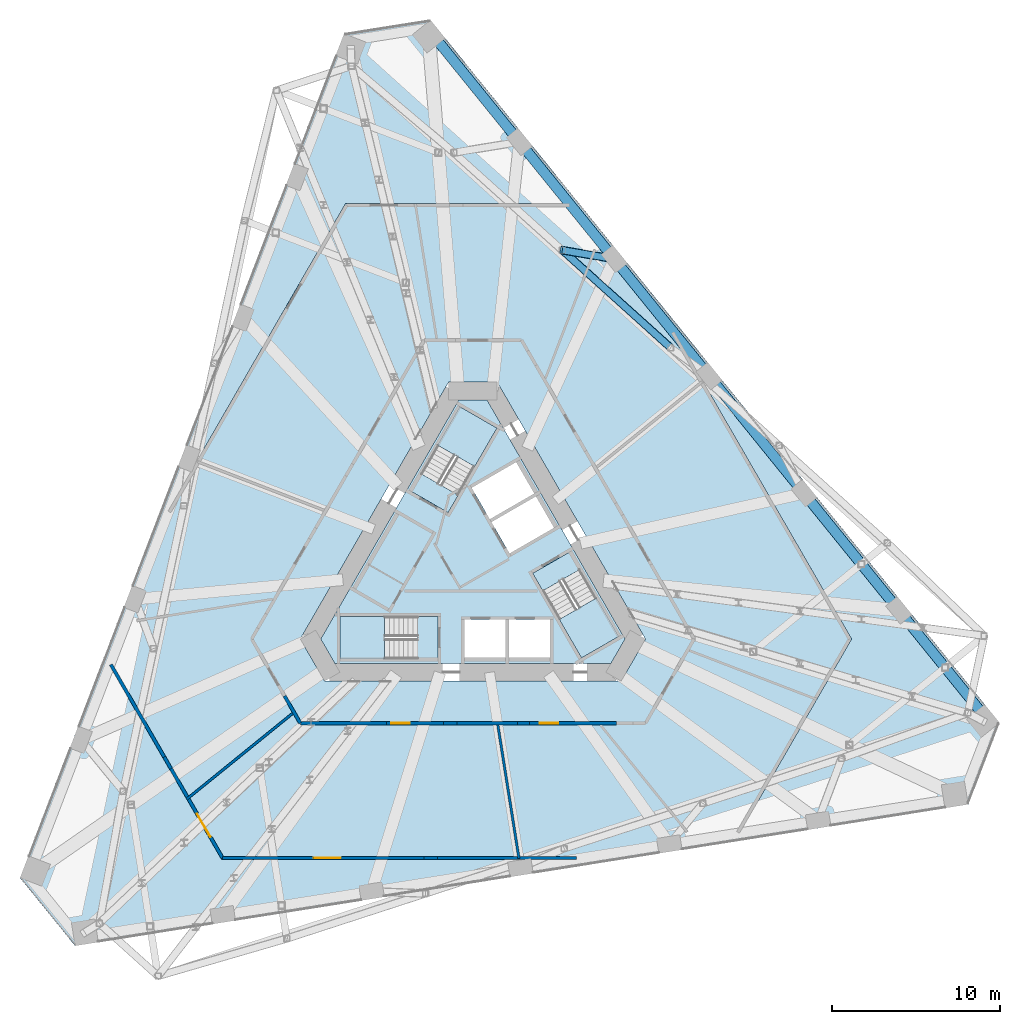
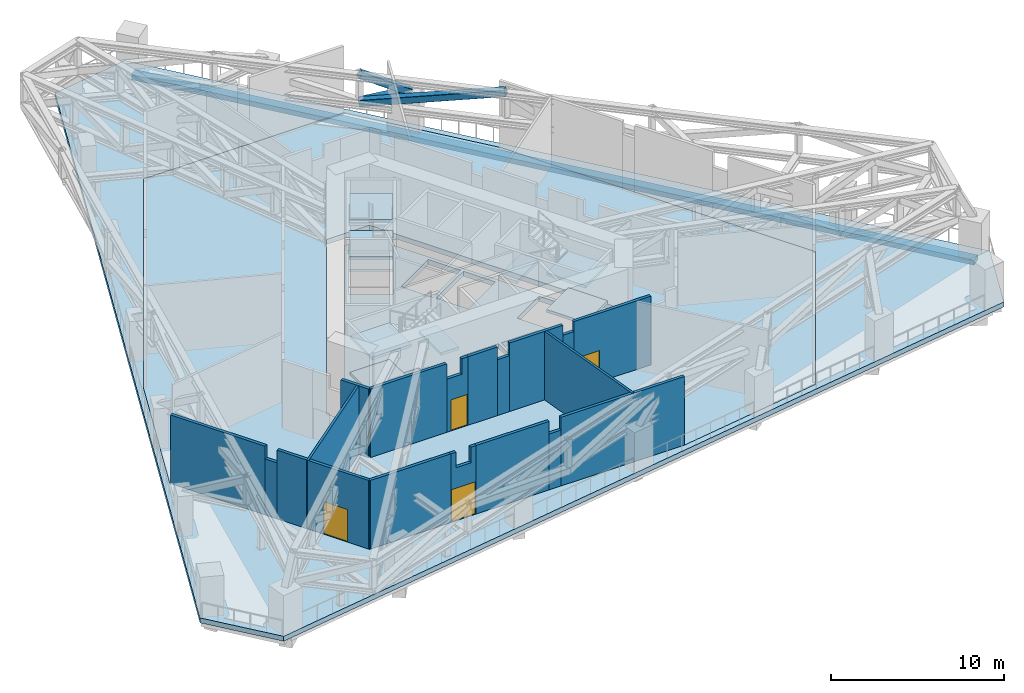
# One storey, part 10 of 20: 18 walls, 12 slabs, 4 doors, 3 members, 1 beam, 4 openings, 3 elements without a shape of their own.
"""IFC4 building model written with IfcOpenShell, lengths in metres."""

import ifcopenshell
import ifcopenshell.guid

model = None  # the IFC model being written
_history = None  # IfcOwnerHistory: only IFC2X3 demands one
_inside = {}  # id of a spatial element -> (the spatial element, [elements in it])
_under = {}  # id of a project, library or spatial element -> (it, [spatial elements below it])
_declared = {}  # id of a project -> (the project, [libraries it declares])
_typed = {}  # id of a type object -> (the type object, [elements of that type])
_made_of = {}  # id of a material, layer set ... -> (it, [elements and type objects made of it])


def new_model(schema):
    """Start an empty IFC model of exactly this schema.

    Asked for "IFC4X3", IfcOpenShell would pick the latest addendum, in which some entities
    have other attributes; the version numbers below select the first issue.
    IFC2X3 requires an IfcOwnerHistory on every rooted entity: one is made here for all.
    """
    global model, _history
    if schema == "IFC4X3":
        model = ifcopenshell.file(schema_version=(4, 3, 0, 0))
    else:
        model = ifcopenshell.file(schema=schema)
    _inside.clear()
    _under.clear()
    _declared.clear()
    _typed.clear()
    _made_of.clear()
    _history = None
    if model.schema == "IFC2X3":
        org = make("IfcOrganization", Name="unknown")
        user = make(
            "IfcPersonAndOrganization",
            ThePerson=make("IfcPerson", FamilyName="unknown"),
            TheOrganization=org,
        )
        app = make(
            "IfcApplication",
            ApplicationDeveloper=org,
            Version="unknown",
            ApplicationFullName="unknown",
            ApplicationIdentifier="unknown",
        )
        _history = make(
            "IfcOwnerHistory",
            OwningUser=user,
            OwningApplication=app,
            ChangeAction="ADDED",
            CreationDate=0,
        )
    return model


def make(cls, **values):
    """One entity of the class cls with the attributes given. An attribute that is None is left unset."""
    return model.create_entity(
        cls, **{name: value for name, value in values.items() if value is not None}
    )


def rooted(cls, **values):
    """An entity with a GlobalId (a new one), such as an element, a storey or a relation."""
    return make(cls, GlobalId=ifcopenshell.guid.new(), OwnerHistory=_history, **values)


def si_unit(unit_type, name, prefix=None):
    """IfcSIUnit, for example si_unit("LENGTHUNIT", "METRE", prefix="MILLI")."""
    return make("IfcSIUnit", UnitType=unit_type, Prefix=prefix, Name=name)


def assignment(units):
    """IfcUnitAssignment: the units of a project."""
    return None if units is None else make("IfcUnitAssignment", Units=units)


def point(xyz):
    """IfcCartesianPoint."""
    return None if xyz is None else make("IfcCartesianPoint", Coordinates=xyz)


def direction(xyz):
    """IfcDirection."""
    return None if xyz is None else make("IfcDirection", DirectionRatios=xyz)


def frame(location, z_axis=None, x_axis=None):
    """IfcAxis2Placement3D, a coordinate frame: its origin and axes. An axis left out is left unset."""
    return make(
        "IfcAxis2Placement3D",
        Location=point(location),
        Axis=direction(z_axis),
        RefDirection=direction(x_axis),
    )


def frame_2d(location, x_axis=None):
    """IfcAxis2Placement2D, a coordinate frame in the plane: its origin and x axis."""
    return make(
        "IfcAxis2Placement2D", Location=point(location), RefDirection=direction(x_axis)
    )


def origin():
    """The frame at (0, 0, 0) with its axes left unset."""
    return frame((0.0, 0.0, 0.0))


def origin_2d():
    """The frame at (0, 0) in the plane with its x axis left unset."""
    return frame_2d((0.0, 0.0))


def place(relative_to, where):
    """IfcLocalPlacement: puts the frame where relative to a parent placement (None: the world)."""
    return make(
        "IfcLocalPlacement", PlacementRelTo=relative_to, RelativePlacement=where
    )


def context(
    kind, dimensions, precision=None, world=None, true_north=None, identifier=None
):
    """IfcGeometricRepresentationContext, for example the 3D "Model" context."""
    return make(
        "IfcGeometricRepresentationContext",
        ContextIdentifier=identifier,
        ContextType=kind,
        CoordinateSpaceDimension=dimensions,
        Precision=precision,
        WorldCoordinateSystem=world,
        TrueNorth=true_north,
    )


def subcontext(parent, identifier, kind, view, scale=None):
    """IfcGeometricRepresentationSubContext, for example "Body" below "Model"."""
    return make(
        "IfcGeometricRepresentationSubContext",
        ContextIdentifier=identifier,
        ContextType=kind,
        ParentContext=parent,
        TargetScale=scale,
        TargetView=view,
    )


def project(units=None, contexts=None):
    """IfcProject with its units and contexts."""
    return rooted(
        "IfcProject",
        Name="project",
        RepresentationContexts=contexts,
        UnitsInContext=assignment(units),
    )


def spatial(cls, under=None, at=None, **own):
    """A site, building, storey or space (cls), placed at a placement, below another one or the project."""
    s = rooted(cls, ObjectPlacement=at, **own)
    if under is not None:
        _under.setdefault(under.id(), (under, []))[1].append(s)
    return s


def polyline(points):
    """IfcPolyline through the points."""
    return make("IfcPolyline", Points=[point(p) for p in points])


def profile(cls, at=None, kind="AREA", **sizes):
    """A parametric profile (cls). Its sizes go by their IFC names, for example OverallWidth=200.0."""
    return make(cls, ProfileType=kind, Position=at, **sizes)


def rectangle(**sizes):
    """IfcRectangleProfileDef."""
    return profile("IfcRectangleProfileDef", **sizes)


def hollow_rectangle(**sizes):
    """IfcRectangleHollowProfileDef."""
    return profile("IfcRectangleHollowProfileDef", **sizes)


def i_section(**sizes):
    """IfcIShapeProfileDef."""
    return profile("IfcIShapeProfileDef", **sizes)


def outline(outer, holes=None, kind="AREA"):
    """IfcArbitraryClosedProfileDef: a profile drawn as a closed curve; with holes, ...WithVoids."""
    if holes is None:
        return make("IfcArbitraryClosedProfileDef", ProfileType=kind, OuterCurve=outer)
    return make(
        "IfcArbitraryProfileDefWithVoids",
        ProfileType=kind,
        OuterCurve=outer,
        InnerCurves=holes,
    )


def extrude(swept, where, along, depth):
    """IfcExtrudedAreaSolid: the profile swept, set in the frame where, extruded along a direction by depth."""
    return make(
        "IfcExtrudedAreaSolid",
        SweptArea=swept,
        Position=where,
        ExtrudedDirection=direction(along),
        Depth=depth,
    )


def shape(context_of_items, identifier, shape_type, items):
    """IfcShapeRepresentation: the items that make up one representation, for example the "Body"."""
    return make(
        "IfcShapeRepresentation",
        ContextOfItems=context_of_items,
        RepresentationIdentifier=identifier,
        RepresentationType=shape_type,
        Items=items,
    )


def material(Name=None, Category=None):
    """IfcMaterial."""
    return make("IfcMaterial", Name=Name, Category=Category)


def layer(
    of_material, thickness, ventilated=None, Name=None, Category=None, Priority=None
):
    """IfcMaterialLayer: one layer of a wall or slab, of a material (None: an air gap)."""
    return make(
        "IfcMaterialLayer",
        Material=of_material,
        LayerThickness=thickness,
        IsVentilated=ventilated,
        Name=Name,
        Category=Category,
        Priority=Priority,
    )


def layer_set(layers, Name=None):
    """IfcMaterialLayerSet."""
    return make("IfcMaterialLayerSet", MaterialLayers=layers, LayerSetName=Name)


def material_profile(
    of_material, cross_section, Name=None, Category=None, Priority=None
):
    """IfcMaterialProfile: a cross section and its material."""
    return make(
        "IfcMaterialProfile",
        Name=Name,
        Material=of_material,
        Profile=cross_section,
        Priority=Priority,
        Category=Category,
    )


def profile_set(profiles, Name=None, composite=None):
    """IfcMaterialProfileSet."""
    return make(
        "IfcMaterialProfileSet",
        Name=Name,
        MaterialProfiles=profiles,
        CompositeProfile=composite,
    )


def made_of(thing, what):
    """Note that an element or type object is made of a material, layer set ...; save() writes the relation."""
    if what is not None:
        _made_of.setdefault(what.id(), (what, []))[1].append(thing)
    return thing


def type_object(cls, material=None, **own):
    """A type object (cls), such as IfcWallType, which elements share."""
    return made_of(rooted(cls, **own), material)


def element(
    cls,
    number,
    at=None,
    inside=None,
    cuts=None,
    type_object=None,
    material=None,
    context=None,
    identifier="Body",
    shape_type=None,
    held_by="IfcProductDefinitionShape",
    body=None,
    shapes=None,
    **own,
):
    """One element of the class cls, such as IfcWall. Its Tag is "e" and its number.

    at: its placement. inside: the storey or other place that contains it. cuts: it is an
    opening in that element (IfcRelVoidsElement). A single representation is given by context,
    identifier, shape_type and body (its items); several are given by shapes. held_by: the class
    of the entity that holds the representations. save() writes the other relations.
    """
    e = rooted(cls, Tag="e%d" % number, ObjectPlacement=at, **own)
    if body is not None:
        shapes = [shape(context, identifier, shape_type, body)]
    if shapes is not None:
        e.Representation = make(held_by, Representations=shapes)
    if inside is not None:
        _inside.setdefault(inside.id(), (inside, []))[1].append(e)
    if cuts is not None:
        rooted(
            "IfcRelVoidsElement", RelatingBuildingElement=cuts, RelatedOpeningElement=e
        )
    if type_object is not None:
        _typed.setdefault(type_object.id(), (type_object, []))[1].append(e)
    return made_of(e, material)


def fill(opening, filler):
    """IfcRelFillsElement: the door or window that sits in an opening."""
    return rooted(
        "IfcRelFillsElement",
        RelatingOpeningElement=opening,
        RelatedBuildingElement=filler,
    )


def aggregate(whole, parts):
    """IfcRelAggregates: a whole, such as a stair, and the parts it consists of."""
    return rooted("IfcRelAggregates", RelatingObject=whole, RelatedObjects=parts)


def save(model, path):
    """Write the relations noted so far, then the file.

    IfcRelAggregates (storeys below a building ...), IfcRelContainedInSpatialStructure (elements
    in a storey), IfcRelDefinesByType, IfcRelAssociatesMaterial and IfcRelDeclares: one each for
    every whole, place, type object, material and project.
    """
    for whole, parts in _under.values():
        aggregate(whole, parts)
    for where, things in _inside.values():
        rooted(
            "IfcRelContainedInSpatialStructure",
            RelatedElements=things,
            RelatingStructure=where,
        )
    for kind, things in _typed.values():
        rooted("IfcRelDefinesByType", RelatedObjects=things, RelatingType=kind)
    for what, things in _made_of.values():
        rooted("IfcRelAssociatesMaterial", RelatedObjects=things, RelatingMaterial=what)
    for by, libraries in _declared.values():
        rooted("IfcRelDeclares", RelatingContext=by, RelatedDefinitions=libraries)
    model.write(path)


model = new_model("IFC4")

# Units and contexts
model_context = context("Model", 3, precision=1e-05, world=origin(), true_north=direction((0.0, 1.0)))
body_context = subcontext(model_context, "Body", "Model", "MODEL_VIEW")
ifc_project = project(units=[si_unit("LENGTHUNIT", "METRE"), si_unit("AREAUNIT", "SQUARE_METRE"), si_unit("VOLUMEUNIT", "CUBIC_METRE"), si_unit("PLANEANGLEUNIT", "RADIAN"), si_unit("MASSUNIT", "GRAM", prefix="KILO")], contexts=[model_context])

# Site, building, storey
site_placement = place(None, origin())
site = spatial("IfcSite", under=ifc_project, at=site_placement, CompositionType="ELEMENT")
building_placement = place(site_placement, origin())
building = spatial("IfcBuilding", under=site, at=building_placement, Name="Tramontana Tower", CompositionType="ELEMENT")
storey_placement = place(building_placement, frame((0.0, 0.0, 83.199951171875)))
storey = spatial("IfcBuildingStorey", under=building, at=storey_placement, Name="L18", CompositionType="ELEMENT", Elevation=83.199951171875)

# Member
ifc_material_1 = material(Name="Steel ASTM A500 Grade C", Category="steel")
ifc_material_profile_1 = material_profile(ifc_material_1, hollow_rectangle(XDim=0.457275390625, YDim=0.457275390625, WallThickness=0.017822265625, InnerFilletRadius=0.017822265625, OuterFilletRadius=0.035400390625, at=origin_2d()), Name="HSS18X18X3/4")
ifc_profile_set_1 = profile_set([ifc_material_profile_1], Name="Steel ASTM A500 Grade C")
member_type_1 = type_object("IfcMemberType", Name="Belt truss HSS18X18X3/4 brace", PredefinedType="BRACE", material=ifc_profile_set_1)
member_1_placement = place(storey_placement, frame((11.7431640625, 13.042236328125, 4.6181640625), z_axis=(-0.724343525003, 0.652186698757, -0.223559763265), x_axis=(-0.669122027567, -0.743152549766, 0.0)))
element("IfcMember", 1, at=member_1_placement, inside=storey, type_object=member_type_1, Name="Belt truss diagonal S2.4", PredefinedType="BRACE", context=body_context, shape_type="SweptSolid", body=[
    extrude(hollow_rectangle(XDim=0.457275390625, YDim=0.457275390625, WallThickness=0.017822265625, InnerFilletRadius=0.017822265625, OuterFilletRadius=0.035400390625, at=origin_2d()), origin(), (0.0, 0.0, 1.0), 8.885009765625),
])

# Beam
ifc_material_2 = material(Name="Concrete 40 MPa", Category="concrete")
ifc_material_profile_2 = material_profile(ifc_material_2, rectangle(XDim=0.60009765625, YDim=0.35009765625, at=origin_2d()), Name="RC EDGE BEAM 600X350 40 MPa")
ifc_profile_set_2 = profile_set([ifc_material_profile_2], Name="Concrete 40 MPa")
beam_type = type_object("IfcBeamType", Name="RC EDGE BEAM 600X350 40 MPa", PredefinedType="SPANDREL", material=ifc_profile_set_2)
beam_placement = place(storey_placement, frame((30.482177734375, -8.960693359375, -0.52490234375), z_axis=(-0.62931909415, 0.777147011664, 0.0), x_axis=(-0.777147011664, -0.62931909415, 0.0)))
element("IfcBeam", 2, at=beam_placement, inside=storey, type_object=beam_type, Name="Spandrel beam S2 L18", PredefinedType="SPANDREL", context=body_context, shape_type="SweptSolid", body=[
    extrude(rectangle(XDim=0.60009765625, YDim=0.35009765625, at=origin_2d()), origin(), (0.0, 0.0, 1.0), 52.293701171875),
])

# Members
ifc_material_3 = material(Name="Steel ASTM A500 Grade C", Category="steel")
ifc_material_profile_3 = material_profile(ifc_material_3, hollow_rectangle(XDim=0.457275390625, YDim=0.457275390625, WallThickness=0.017822265625, InnerFilletRadius=0.017822265625, OuterFilletRadius=0.035400390625, at=origin_2d()), Name="HSS18X18X3/4")
ifc_profile_set_3 = profile_set([ifc_material_profile_3], Name="Steel ASTM A500 Grade C")
member_type_2 = type_object("IfcMemberType", Name="Transfer truss HSS18X18X3/4 brace", PredefinedType="BRACE", material=ifc_profile_set_3)
member_2_placement = place(storey_placement, frame((8.395751953125, 18.31396484375, 2.6318359375), z_axis=(-0.832660127292, 0.140992726692, 0.535535398865), x_axis=(-0.166951560633, -0.985965098978, 0.0)))
element("IfcMember", 3, at=member_2_placement, inside=storey, type_object=member_type_2, Name="Transfer truss strut C2F14 diagonal", PredefinedType="BRACE", context=body_context, shape_type="SweptSolid", body=[
    extrude(hollow_rectangle(XDim=0.457275390625, YDim=0.457275390625, WallThickness=0.017822265625, InnerFilletRadius=0.017822265625, OuterFilletRadius=0.035400390625, at=origin_2d()), origin(), (0.0, 0.0, 1.0), 3.708984375),
])
ifc_material_4 = material(Name="Steel ASTM A992 Grade 50", Category="steel")
ifc_material_profile_4 = material_profile(ifc_material_4, i_section(OverallWidth=0.42236328125, OverallDepth=0.463623046875, WebThickness=0.04443359375, FlangeThickness=0.072998046875, FilletRadius=0.014892578125, at=origin_2d()), Name="W14X398")
ifc_profile_set_4 = profile_set([ifc_material_profile_4], Name="Steel ASTM A992 Grade 50")
member_type_3 = type_object("IfcMemberType", Name="Transfer truss W14X398 strut", PredefinedType="STRUT", material=ifc_profile_set_4)
member_3_placement = place(storey_placement, frame((8.395751953125, 18.31396484375, 2.6318359375), z_axis=(-0.985965098978, 0.166951560633, 0.0), x_axis=(-0.166951560633, -0.985965098978, 0.0)))
element("IfcMember", 4, at=member_3_placement, inside=storey, type_object=member_type_3, Name="Transfer truss strut C2F14 bottom", PredefinedType="STRUT", context=body_context, shape_type="SweptSolid", body=[
    extrude(i_section(OverallWidth=0.42236328125, OverallDepth=0.463623046875, WebThickness=0.04443359375, FlangeThickness=0.072998046875, FilletRadius=0.014892578125, at=origin_2d()), origin(), (0.0, 0.0, 1.0), 3.13232421875),
])

# Slabs
ifc_material_5 = material(Name="Concrete 40 MPa", Category="concrete")
ifc_layer_1 = layer(ifc_material_5, 0.35009765625)
ifc_layer_set_1 = layer_set([ifc_layer_1], Name="PT FLAT SLAB 350 40 MPa")
slab_type_1 = type_object("IfcSlabType", Name="PT FLAT SLAB 350 40 MPa", PredefinedType="FLOOR", material=ifc_layer_set_1)
slab_1_placement = place(storey_placement, frame((0.0, 0.0, -0.349853515625)))
element("IfcSlab", 5, at=slab_1_placement, inside=storey, type_object=slab_type_1, Name="Floor slab L18", PredefinedType="FLOOR", context=body_context, shape_type="SweptSolid", body=[
    extrude(outline(polyline([(-14.924560546875, -17.35009765625), (-14.924560546875, -17.35009765625), (-14.924560546875, -17.35009765625), (-21.219482421875, -6.446533203125), (-21.581787109375, -5.819091796875), (-21.586181640625, -5.810546875), (-21.58984375, -5.801513671875), (-21.592529296875, -5.7919921875), (-21.59423828125, -5.7822265625), (-21.59521484375, -5.7724609375), (-21.594970703125, -5.7626953125), (-21.593994140625, -5.7529296875), (-21.591796875, -5.743408203125), (-21.5888671875, -5.73388671875), (-18.109619140625, 3.329345703125), (-18.10595703125, 3.33837890625), (-18.1015625, 3.347412109375), (-16.187744140625, 6.662109375), (-11.13037109375, 15.421875), (-7.59228515625, 21.550048828125), (-7.563232421875, 21.60009765625), (-7.563232421875, 21.60009765625), (-7.563232421875, 21.60009765625), (5.751220703125, 21.60009765625), (5.760986328125, 21.599609375), (5.770751953125, 21.59814453125), (5.7802734375, 21.595703125), (5.78955078125, 21.59228515625), (5.798583984375, 21.588134765625), (5.806884765625, 21.5830078125), (5.814697265625, 21.577392578125), (5.822021484375, 21.57080078125), (5.82861328125, 21.5634765625), (11.938232421875, 14.018798828125), (11.9443359375, 14.010986328125), (11.94970703125, 14.002685546875), (13.86328125, 10.68798828125), (22.48779296875, -4.25), (22.48779296875, -4.25), (22.48779296875, -4.25), (20.378662109375, -7.903076171875), (18.998291015625, -10.293701171875), (15.83056640625, -15.78076171875), (15.8251953125, -15.7890625), (15.819091796875, -15.796630859375), (15.812255859375, -15.8037109375), (15.8046875, -15.81005859375), (15.796630859375, -15.815673828125), (15.7880859375, -15.820556640625), (15.779052734375, -15.824462890625), (15.769775390625, -15.827392578125), (15.76025390625, -15.829345703125), (6.17138671875, -17.34814453125), (6.16162109375, -17.349609375), (6.15185546875, -17.35009765625), (-2.909912109375, -17.35009765625), (-14.924560546875, -17.35009765625)]), holes=[polyline([(-8.8046875, -6.75), (8.8046875, -6.75), (10.248046875, -4.25), (1.443359375, 11.0), (-1.443359375, 11.0), (-10.248046875, -4.25), (-8.8046875, -6.75)])]), origin(), (0.0, 0.0, 1.0), 0.349853515625),
])
slab_2_placement = place(storey_placement, frame((0.0, 0.0, -0.349853515625)))
element("IfcSlab", 6, at=slab_2_placement, inside=storey, type_object=slab_type_1, Name="Terrace slab L18", PredefinedType="FLOOR", context=body_context, shape_type="SweptSolid", body=[
    extrude(outline(polyline([(-23.622314453125, -22.471923828125), (-26.892333984375, -18.433837890625), (-7.650146484375, 31.693359375), (-2.51806640625, 32.50634765625), (31.2724609375, -9.221435546875), (29.410400390625, -14.072509765625), (-23.622314453125, -22.471923828125)]), holes=[polyline([(6.15185546875, -17.35009765625), (6.16162109375, -17.349609375), (6.17138671875, -17.34814453125), (15.76025390625, -15.829345703125), (15.769775390625, -15.827392578125), (15.779052734375, -15.824462890625), (15.7880859375, -15.820556640625), (15.796630859375, -15.815673828125), (15.8046875, -15.81005859375), (15.812255859375, -15.8037109375), (15.819091796875, -15.796630859375), (15.8251953125, -15.7890625), (15.83056640625, -15.78076171875), (18.998291015625, -10.293701171875), (20.378662109375, -7.903076171875), (22.48779296875, -4.25), (22.48779296875, -4.25), (22.48779296875, -4.25), (13.86328125, 10.68798828125), (11.94970703125, 14.002685546875), (11.9443359375, 14.010986328125), (11.938232421875, 14.018798828125), (5.82861328125, 21.5634765625), (5.822021484375, 21.57080078125), (5.814697265625, 21.577392578125), (5.806884765625, 21.5830078125), (5.798583984375, 21.588134765625), (5.78955078125, 21.59228515625), (5.7802734375, 21.595703125), (5.770751953125, 21.59814453125), (5.760986328125, 21.599609375), (5.751220703125, 21.60009765625), (-7.563232421875, 21.60009765625), (-7.563232421875, 21.60009765625), (-7.563232421875, 21.60009765625), (-7.59228515625, 21.550048828125), (-11.13037109375, 15.421875), (-16.187744140625, 6.662109375), (-18.1015625, 3.347412109375), (-18.10595703125, 3.33837890625), (-18.109619140625, 3.329345703125), (-21.5888671875, -5.73388671875), (-21.591796875, -5.743408203125), (-21.593994140625, -5.7529296875), (-21.594970703125, -5.7626953125), (-21.59521484375, -5.7724609375), (-21.59423828125, -5.7822265625), (-21.592529296875, -5.7919921875), (-21.58984375, -5.801513671875), (-21.586181640625, -5.810546875), (-21.581787109375, -5.819091796875), (-21.219482421875, -6.446533203125), (-14.924560546875, -17.35009765625), (-14.924560546875, -17.35009765625), (-14.924560546875, -17.35009765625), (-2.909912109375, -17.35009765625), (6.15185546875, -17.35009765625)])]), origin(), (0.0, 0.0, 1.0), 0.349853515625),
])
slab_3_placement = place(storey_placement, frame((0.0, 0.0, -0.349853515625)))
element("IfcSlab", 7, at=slab_3_placement, inside=storey, type_object=slab_type_1, Name="Core floor slab L18", PredefinedType="FLOOR", context=body_context, shape_type="SweptSolid", body=[
    extrude(outline(polyline([(9.035400390625, -4.25), (8.198486328125, -5.699951171875), (-8.198486328125, -5.699951171875), (-9.035400390625, -4.25), (-0.837158203125, 9.949951171875), (0.837158203125, 9.949951171875), (9.035400390625, -4.25)]), holes=[polyline([(8.659912109375, -4.099365234375), (6.35986328125, -0.115478515625), (4.151611328125, -1.390625), (6.451416015625, -5.374267578125), (8.659912109375, -4.099365234375)]), polyline([(3.829833984375, 4.2666015625), (1.101806640625, 2.69140625), (2.177001953125, 0.82958984375), (4.90478515625, 2.404541015625), (3.829833984375, 4.2666015625)]), polyline([(4.590087890625, -3.10009765625), (2.139892578125, -3.10009765625), (2.139892578125, -5.449951171875), (4.590087890625, -5.449951171875), (4.590087890625, -3.10009765625)]), polyline([(2.65478515625, 6.3017578125), (-0.072998046875, 4.726806640625), (1.001953125, 2.86474609375), (3.729736328125, 4.439697265625), (2.65478515625, 6.3017578125)]), polyline([(1.93994140625, -5.449951171875), (1.93994140625, -3.10009765625), (-0.510009765625, -3.10009765625), (-0.510009765625, -5.449951171875), (1.93994140625, -5.449951171875)]), polyline([(-0.77978515625, 9.54931640625), (-3.079833984375, 5.565673828125), (-0.87158203125, 4.29052734375), (1.428466796875, 8.2744140625), (-0.77978515625, 9.54931640625)]), polyline([(-7.8798828125, -5.449951171875), (-3.280029296875, -5.449951171875), (-3.280029296875, -2.89990234375), (-7.8798828125, -2.89990234375), (-7.8798828125, -5.449951171875)])]), origin(), (0.0, 0.0, 1.0), 0.349853515625),
])

# Stair, slabs
ifc_material_6 = material(Name="Concrete 40 MPa", Category="concrete")
stair_type = type_object("IfcStairType", Name="EXIT STAIR 32 RISERS", PredefinedType="HALF_TURN_STAIR", material=ifc_material_6)
stair_1_placement = place(storey_placement, origin())
stair_1 = element("IfcStair", 8, at=stair_1_placement, inside=storey, type_object=stair_type, Name="L18 Exit stair ST1", PredefinedType="HALF_TURN_STAIR")
ifc_material_7 = material(Name="Concrete 40 MPa", Category="concrete")
ifc_layer_2 = layer(ifc_material_7, 0.199951171875)
ifc_layer_set_2 = layer_set([ifc_layer_2], Name="STAIR LANDING 200")
slab_type_2 = type_object("IfcSlabType", Name="STAIR LANDING 200", PredefinedType="LANDING", material=ifc_layer_set_2)
slab_4_placement = place(storey_placement, frame((0.0, 0.0, 1.10009765625)))
slab_4 = element("IfcSlab", 9, at=slab_4_placement, type_object=slab_type_2, Name="ST1 landing 1", PredefinedType="LANDING", context=body_context, shape_type="SweptSolid", body=[
    extrude(outline(polyline([(0.108642578125, 5.988037109375), (1.428466796875, 8.274169921875), (-0.77978515625, 9.54931640625), (-2.099853515625, 7.262939453125), (0.108642578125, 5.988037109375)])), origin(), (0.0, 0.0, 1.0), 0.199951171875),
])
slab_5_placement = place(storey_placement, frame((0.0, 0.0, 2.400146484375)))
slab_5 = element("IfcSlab", 10, at=slab_5_placement, type_object=slab_type_2, Name="ST1 landing 2", PredefinedType="LANDING", context=body_context, shape_type="SweptSolid", body=[
    extrude(outline(polyline([(-1.471435546875, 3.251220703125), (-0.87158203125, 4.29052734375), (-3.079833984375, 5.565673828125), (-3.679931640625, 4.5263671875), (-1.471435546875, 3.251220703125)])), origin(), (0.0, 0.0, 1.0), 0.199951171875),
])
slab_6_placement = place(storey_placement, frame((0.0, 0.0, 3.699951171875)))
slab_6 = element("IfcSlab", 11, at=slab_6_placement, type_object=slab_type_2, Name="ST1 landing 3", PredefinedType="LANDING", context=body_context, shape_type="SweptSolid", body=[
    extrude(outline(polyline([(0.108642578125, 5.988037109375), (1.428466796875, 8.274169921875), (-0.77978515625, 9.54931640625), (-2.099853515625, 7.262939453125), (0.108642578125, 5.988037109375)])), origin(), (0.0, 0.0, 1.0), 0.2001953125),
])
aggregate(stair_1, [slab_4, slab_5, slab_6])

stair_2_placement = place(storey_placement, origin())
stair_2 = element("IfcStair", 12, at=stair_2_placement, inside=storey, type_object=stair_type, Name="L18 Exit stair ST2", PredefinedType="HALF_TURN_STAIR")
slab_7_placement = place(storey_placement, frame((0.0, 0.0, 1.10009765625)))
slab_7 = element("IfcSlab", 13, at=slab_7_placement, type_object=slab_type_2, Name="ST2 landing 1", PredefinedType="LANDING", context=body_context, shape_type="SweptSolid", body=[
    extrude(outline(polyline([(-5.239990234375, -2.89990234375), (-7.8798828125, -2.89990234375), (-7.8798828125, -5.449951171875), (-5.239990234375, -5.449951171875), (-5.239990234375, -2.89990234375)])), origin(), (0.0, 0.0, 1.0), 0.199951171875),
])
slab_8_placement = place(storey_placement, frame((0.0, 0.0, 2.400146484375)))
slab_8 = element("IfcSlab", 14, at=slab_8_placement, type_object=slab_type_2, Name="ST2 landing 2", PredefinedType="LANDING", context=body_context, shape_type="SweptSolid", body=[
    extrude(outline(polyline([(-2.080078125, -2.89990234375), (-3.280029296875, -2.89990234375), (-3.280029296875, -5.449951171875), (-2.080078125, -5.449951171875), (-2.080078125, -2.89990234375)])), origin(), (0.0, 0.0, 1.0), 0.199951171875),
])
slab_9_placement = place(storey_placement, frame((0.0, 0.0, 3.699951171875)))
slab_9 = element("IfcSlab", 15, at=slab_9_placement, type_object=slab_type_2, Name="ST2 landing 3", PredefinedType="LANDING", context=body_context, shape_type="SweptSolid", body=[
    extrude(outline(polyline([(-5.239990234375, -2.89990234375), (-7.8798828125, -2.89990234375), (-7.8798828125, -5.449951171875), (-5.239990234375, -5.449951171875), (-5.239990234375, -2.89990234375)])), origin(), (0.0, 0.0, 1.0), 0.2001953125),
])
aggregate(stair_2, [slab_7, slab_8, slab_9])

stair_3_placement = place(storey_placement, origin())
stair_3 = element("IfcStair", 16, at=stair_3_placement, inside=storey, type_object=stair_type, Name="L18 Exit stair ST3", PredefinedType="HALF_TURN_STAIR")
slab_10_placement = place(storey_placement, frame((0.0, 0.0, 1.10009765625)))
slab_10 = element("IfcSlab", 17, at=slab_10_placement, type_object=slab_type_2, Name="ST3 landing 1", PredefinedType="LANDING", context=body_context, shape_type="SweptSolid", body=[
    extrude(outline(polyline([(5.131591796875, -3.087890625), (6.451416015625, -5.374267578125), (8.659912109375, -4.099365234375), (7.33984375, -1.81298828125), (5.131591796875, -3.087890625)])), origin(), (0.0, 0.0, 1.0), 0.199951171875),
])
slab_11_placement = place(storey_placement, frame((0.0, 0.0, 2.400146484375)))
slab_11 = element("IfcSlab", 18, at=slab_11_placement, type_object=slab_type_2, Name="ST3 landing 2", PredefinedType="LANDING", context=body_context, shape_type="SweptSolid", body=[
    extrude(outline(polyline([(3.551513671875, -0.351318359375), (4.1513671875, -1.390625), (6.35986328125, -0.115478515625), (5.759765625, 0.923583984375), (3.551513671875, -0.351318359375)])), origin(), (0.0, 0.0, 1.0), 0.199951171875),
])
slab_12_placement = place(storey_placement, frame((0.0, 0.0, 3.699951171875)))
slab_12 = element("IfcSlab", 19, at=slab_12_placement, type_object=slab_type_2, Name="ST3 landing 3", PredefinedType="LANDING", context=body_context, shape_type="SweptSolid", body=[
    extrude(outline(polyline([(5.131591796875, -3.087890625), (6.451416015625, -5.374267578125), (8.659912109375, -4.099365234375), (7.33984375, -1.81298828125), (5.131591796875, -3.087890625)])), origin(), (0.0, 0.0, 1.0), 0.2001953125),
])
aggregate(stair_3, [slab_10, slab_11, slab_12])

# Walls
ifc_material_8 = material(Name="Blockwork", Category="masonry")
ifc_layer_3 = layer(ifc_material_8, 0.199951171875)
ifc_layer_set_3 = layer_set([ifc_layer_3], Name="ENCLOSURE WALL 200")
wall_type_1 = type_object("IfcWallType", Name="ENCLOSURE WALL 200", PredefinedType="SOLIDWALL", material=ifc_layer_set_3)
wall_1_placement = place(storey_placement, frame((6.15185546875, -17.25, 0.0), z_axis=(0.0, 0.0, 1.0), x_axis=(-1.0, 0.0, 0.0)))
element("IfcWall", 20, at=wall_1_placement, inside=storey, type_object=wall_type_1, Name="Wall enc2-0", PredefinedType="SOLIDWALL", context=body_context, shape_type="SweptSolid", body=[
    extrude(rectangle(XDim=8.253173828125, YDim=0.199951171875, at=frame_2d((4.12646484375, 0.0))), origin(), (0.0, 0.0, 1.0), 4.85009765625),
])
wall_2_placement = place(storey_placement, frame((-2.101318359375, -17.25, 0.0), z_axis=(0.0, 0.0, 1.0), x_axis=(-1.0, 0.0, 0.0)))
element("IfcWall", 21, at=wall_2_placement, inside=storey, type_object=wall_type_1, Name="Wall enc2-1", PredefinedType="SOLIDWALL", context=body_context, shape_type="SweptSolid", body=[
    extrude(rectangle(XDim=0.80859375, YDim=0.199951171875, at=frame_2d((0.404296875, 0.0))), origin(), (0.0, 0.0, 1.0), 3.949951171875),
])
wall_3_placement = place(storey_placement, frame((-2.909912109375, -17.25, 0.0), z_axis=(0.0, 0.0, 1.0), x_axis=(-1.0, 0.0, 0.0)))
element("IfcWall", 22, at=wall_3_placement, inside=storey, type_object=wall_type_1, Name="Wall enc2-2", PredefinedType="SOLIDWALL", context=body_context, shape_type="SweptSolid", body=[
    extrude(rectangle(XDim=4.880615234375, YDim=0.199951171875, at=frame_2d((2.4404296875, 0.0))), origin(), (0.0, 0.0, 1.0), 4.85009765625),
])

# Wall, opening, door
wall_4_placement = place(storey_placement, frame((-7.79052734375, -17.25, 0.0), z_axis=(0.0, 0.0, 1.0), x_axis=(-1.0, 0.0, 0.0)))
wall_4 = element("IfcWall", 23, at=wall_4_placement, inside=storey, type_object=wall_type_1, Name="Wall enc2-3", PredefinedType="SOLIDWALL", context=body_context, shape_type="SweptSolid", body=[
    extrude(outline(polyline([(0.0, 0.0), (1.699951171875, 0.0), (1.699951171875, 4.85009765625), (1.359619140625, 4.85009765625), (1.359619140625, 3.75), (0.35302734375, 3.75), (0.35302734375, 4.85009765625), (0.0, 4.85009765625), (0.0, 0.0)])), frame((0.0, 0.10009765625, 0.0), z_axis=(0.0, -1.0, 0.0), x_axis=(1.0, 0.0, 0.0)), (0.0, 0.0, 1.0), 0.199951171875),
])
opening_1_placement = place(wall_4_placement, frame((0.050048828125, 0.0, 0.0)))
opening_1 = element("IfcOpeningElement", 24, at=opening_1_placement, cuts=wall_4, Name="Opening L18-12", PredefinedType="OPENING", context=body_context, shape_type="SweptSolid", body=[
    extrude(rectangle(XDim=1.60009765625, YDim=2.300048828125, at=frame_2d((0.800048828125, 1.14990234375))), frame((0.0, 0.10986328125, 0.0), z_axis=(0.0, -1.0, 0.0), x_axis=(1.0, 0.0, 0.0)), (0.0, 0.0, 1.0), 0.219970703125),
])
ifc_material_9 = material(Name="Painted timber", Category="wood")
door_type_1 = type_object("IfcDoorType", Name="DOOR WIDE 1600", OperationType="SINGLE_SWING_LEFT", PredefinedType="DOOR", material=ifc_material_9)
door_1_placement = place(opening_1_placement, origin())
door_1 = element("IfcDoor", 25, at=door_1_placement, inside=storey, type_object=door_type_1, Name="Door L18-12", OperationType="DOUBLE_DOOR_SINGLE_SWING", OverallHeight=2.300048828125, OverallWidth=1.60009765625, PredefinedType="DOOR", context=body_context, shape_type="SweptSolid", body=[
    extrude(rectangle(XDim=1.60009765625, YDim=2.300048828125, at=frame_2d((0.800048828125, 1.14990234375))), frame((0.0, 0.02490234375, 0.0), z_axis=(0.0, -1.0, 0.0), x_axis=(1.0, 0.0, 0.0)), (0.0, 0.0, 1.0), 0.050048828125),
])
fill(opening_1, door_1)

# Wall
wall_5_placement = place(storey_placement, frame((-9.490478515625, -17.25, 0.0), z_axis=(0.0, 0.0, 1.0), x_axis=(-1.0, 0.0, 0.0)))
element("IfcWall", 26, at=wall_5_placement, inside=storey, type_object=wall_type_1, Name="Wall enc2-4", PredefinedType="SOLIDWALL", context=body_context, shape_type="SweptSolid", body=[
    extrude(rectangle(XDim=5.376220703125, YDim=0.199951171875, at=frame_2d((2.68798828125, 0.0))), origin(), (0.0, 0.0, 1.0), 4.85009765625),
])

# Wall, opening, door
wall_6_placement = place(storey_placement, frame((-14.86669921875, -17.25, 0.0), z_axis=(0.0, 0.0, 1.0), x_axis=(-0.499991792115, 0.866030142557, 0.0)))
wall_6 = element("IfcWall", 27, at=wall_6_placement, inside=storey, type_object=wall_type_1, Name="Wall enc3-0", PredefinedType="SOLIDWALL", context=body_context, shape_type="SweptSolid", body=[
    extrude(rectangle(XDim=6.1201171875, YDim=0.199951171875, at=frame_2d((3.06005859375, 0.0))), origin(), (0.0, 0.0, 1.0), 4.85009765625),
])
opening_2_placement = place(wall_6_placement, frame((1.42724609375, 0.0, 0.0)))
opening_2 = element("IfcOpeningElement", 28, at=opening_2_placement, cuts=wall_6, Name="Opening L18-13", PredefinedType="OPENING", context=body_context, shape_type="SweptSolid", body=[
    extrude(rectangle(XDim=1.60009765625, YDim=2.300048828125, at=frame_2d((0.800048828125, 1.14990234375))), frame((0.0, 0.10986328125, 0.0), z_axis=(0.0, -1.0, 0.0), x_axis=(1.0, 0.0, 0.0)), (0.0, 0.0, 1.0), 0.219970703125),
])
door_2_placement = place(opening_2_placement, origin())
door_2 = element("IfcDoor", 29, at=door_2_placement, inside=storey, type_object=door_type_1, Name="Door L18-13", OperationType="DOUBLE_DOOR_SINGLE_SWING", OverallHeight=2.300048828125, OverallWidth=1.60009765625, PredefinedType="DOOR", context=body_context, shape_type="SweptSolid", body=[
    extrude(rectangle(XDim=1.60009765625, YDim=2.300048828125, at=frame_2d((0.800048828125, 1.14990234375))), frame((0.0, 0.02490234375, 0.0), z_axis=(0.0, -1.0, 0.0), x_axis=(1.0, 0.0, 0.0)), (0.0, 0.0, 1.0), 0.050048828125),
])
fill(opening_2, door_2)

# Walls
wall_7_placement = place(storey_placement, frame((-17.9267578125, -11.94970703125, 0.0), z_axis=(0.0, 0.0, 1.0), x_axis=(-0.500170954823, 0.865926680471, 0.0)))
element("IfcWall", 30, at=wall_7_placement, inside=storey, type_object=wall_type_1, Name="Wall enc3-1", PredefinedType="SOLIDWALL", context=body_context, shape_type="SweptSolid", body=[
    extrude(rectangle(XDim=0.801025390625, YDim=0.199951171875, at=frame_2d((0.400390625, 0.0))), origin(), (0.0, 0.0, 1.0), 3.949951171875),
])
wall_8_placement = place(storey_placement, frame((-18.327392578125, -11.256103515625, 0.0), z_axis=(0.0, 0.0, 1.0), x_axis=(-0.499989308001, 0.866031576725, 0.0)))
element("IfcWall", 31, at=wall_8_placement, inside=storey, type_object=wall_type_1, Name="Wall enc3-2", PredefinedType="SOLIDWALL", context=body_context, shape_type="SweptSolid", body=[
    extrude(rectangle(XDim=6.335693359375, YDim=0.199951171875, at=frame_2d((3.16796875, 0.0))), origin(), (0.0, 0.0, 1.0), 4.85009765625),
])

# Wall, opening, door
ifc_material_10 = material(Name="Blockwork", Category="masonry")
ifc_layer_4 = layer(ifc_material_10, 0.199951171875)
ifc_layer_set_4 = layer_set([ifc_layer_4], Name="ENTRY WALL 200")
wall_type_2 = type_object("IfcWallType", Name="ENTRY WALL 200", PredefinedType="SOLIDWALL", material=ifc_layer_set_4)
wall_9_placement = place(storey_placement, frame((8.52685546875, -9.25, 0.0), z_axis=(0.0, 0.0, 1.0), x_axis=(-1.0, 0.0, 0.0)))
wall_9 = element("IfcWall", 32, at=wall_9_placement, inside=storey, type_object=wall_type_2, Name="Wall ew2-2", PredefinedType="SOLIDWALL", context=body_context, shape_type="SweptSolid", body=[
    extrude(rectangle(XDim=5.1533203125, YDim=0.199951171875, at=frame_2d((2.57666015625, 0.0))), origin(), (0.0, 0.0, 1.0), 4.85009765625),
])
opening_3_placement = place(wall_9_placement, frame((3.45068359375, 0.0, 0.0)))
opening_3 = element("IfcOpeningElement", 33, at=opening_3_placement, cuts=wall_9, Name="Opening L18-05", PredefinedType="OPENING", context=body_context, shape_type="SweptSolid", body=[
    extrude(rectangle(XDim=1.10009765625, YDim=2.199951171875, at=frame_2d((0.550048828125, 1.10009765625))), frame((0.0, 0.10986328125, 0.0), z_axis=(0.0, -1.0, 0.0), x_axis=(1.0, 0.0, 0.0)), (0.0, 0.0, 1.0), 0.219970703125),
])
ifc_material_11 = material(Name="Painted steel", Category="steel")
door_type_2 = type_object("IfcDoorType", Name="PLANT DOOR 1100", OperationType="SINGLE_SWING_LEFT", PredefinedType="DOOR", material=ifc_material_11)
door_3_placement = place(opening_3_placement, origin())
door_3 = element("IfcDoor", 34, at=door_3_placement, inside=storey, type_object=door_type_2, Name="Door L18-05", OperationType="SINGLE_SWING_LEFT", OverallHeight=2.199951171875, OverallWidth=1.10009765625, PredefinedType="DOOR", context=body_context, shape_type="SweptSolid", body=[
    extrude(rectangle(XDim=1.10009765625, YDim=2.199951171875, at=frame_2d((0.550048828125, 1.10009765625))), frame((0.0, 0.02490234375, 0.0), z_axis=(0.0, -1.0, 0.0), x_axis=(1.0, 0.0, 0.0)), (0.0, 0.0, 1.0), 0.050048828125),
])
fill(opening_3, door_3)

# Walls
wall_10_placement = place(storey_placement, frame((3.37353515625, -9.25, 0.0), z_axis=(0.0, 0.0, 1.0), x_axis=(-1.0, 0.0, 0.0)))
element("IfcWall", 35, at=wall_10_placement, inside=storey, type_object=wall_type_2, Name="Wall ew2-3", PredefinedType="SOLIDWALL", context=body_context, shape_type="SweptSolid", body=[
    extrude(rectangle(XDim=0.736083984375, YDim=0.199951171875, at=frame_2d((0.3681640625, 0.0))), origin(), (0.0, 0.0, 1.0), 4.150146484375),
])
wall_11_placement = place(storey_placement, frame((2.637451171875, -9.25, 0.0), z_axis=(0.0, 0.0, 1.0), x_axis=(-1.0, 0.0, 0.0)))
element("IfcWall", 36, at=wall_11_placement, inside=storey, type_object=wall_type_2, Name="Wall ew2-4", PredefinedType="SOLIDWALL", context=body_context, shape_type="SweptSolid", body=[
    extrude(rectangle(XDim=3.576904296875, YDim=0.199951171875, at=frame_2d((1.78857421875, 0.0))), origin(), (0.0, 0.0, 1.0), 4.85009765625),
])
wall_12_placement = place(storey_placement, frame((-0.939453125, -9.25, 0.0), z_axis=(0.0, 0.0, 1.0), x_axis=(-1.0, 0.0, 0.0)))
element("IfcWall", 37, at=wall_12_placement, inside=storey, type_object=wall_type_2, Name="Wall ew2-5", PredefinedType="SOLIDWALL", context=body_context, shape_type="SweptSolid", body=[
    extrude(rectangle(XDim=0.808349609375, YDim=0.199951171875, at=frame_2d((0.404296875, 0.0))), origin(), (0.0, 0.0, 1.0), 3.949951171875),
])
wall_13_placement = place(storey_placement, frame((-1.747802734375, -9.25, 0.0), z_axis=(0.0, 0.0, 1.0), x_axis=(-1.0, 0.0, 0.0)))
element("IfcWall", 38, at=wall_13_placement, inside=storey, type_object=wall_type_2, Name="Wall ew2-6", PredefinedType="SOLIDWALL", context=body_context, shape_type="SweptSolid", body=[
    extrude(rectangle(XDim=1.954833984375, YDim=0.199951171875, at=frame_2d((0.9775390625, 0.0))), origin(), (0.0, 0.0, 1.0), 4.85009765625),
])

# Wall, opening, door
wall_14_placement = place(storey_placement, frame((-3.70263671875, -9.25, 0.0), z_axis=(0.0, 0.0, 1.0), x_axis=(-1.0, 0.0, 0.0)))
wall_14 = element("IfcWall", 39, at=wall_14_placement, inside=storey, type_object=wall_type_2, Name="Wall ew2-7", PredefinedType="SOLIDWALL", context=body_context, shape_type="SweptSolid", body=[
    extrude(outline(polyline([(0.0, 0.0), (1.4375, 0.0), (1.437255859375, 3.75), (0.4306640625, 3.75), (0.4306640625, 4.85009765625), (0.0, 4.85009765625), (0.0, 0.0)])), frame((0.0, 0.10009765625, 0.0), z_axis=(0.0, -1.0, 0.0), x_axis=(1.0, 0.0, 0.0)), (0.0, 0.0, 1.0), 0.199951171875),
])
opening_4_placement = place(wall_14_placement, frame((0.050048828125, 0.0, 0.0)))
opening_4 = element("IfcOpeningElement", 40, at=opening_4_placement, cuts=wall_14, Name="Opening L18-04", PredefinedType="OPENING", context=body_context, shape_type="SweptSolid", body=[
    extrude(rectangle(XDim=1.10009765625, YDim=2.199951171875, at=frame_2d((0.550048828125, 1.10009765625))), frame((0.0, 0.10986328125, 0.0), z_axis=(0.0, -1.0, 0.0), x_axis=(1.0, 0.0, 0.0)), (0.0, 0.0, 1.0), 0.219970703125),
])
door_4_placement = place(opening_4_placement, origin())
door_4 = element("IfcDoor", 41, at=door_4_placement, inside=storey, type_object=door_type_2, Name="Door L18-04", OperationType="SINGLE_SWING_RIGHT", OverallHeight=2.199951171875, OverallWidth=1.10009765625, PredefinedType="DOOR", context=body_context, shape_type="SweptSolid", body=[
    extrude(rectangle(XDim=1.10009765625, YDim=2.199951171875, at=frame_2d((0.550048828125, 1.10009765625))), frame((0.0, 0.02490234375, 0.0), z_axis=(0.0, -1.0, 0.0), x_axis=(1.0, 0.0, 0.0)), (0.0, 0.0, 1.0), 0.050048828125),
])
fill(opening_4, door_4)

# Walls
wall_15_placement = place(storey_placement, frame((-5.14013671875, -9.25, 0.0), z_axis=(0.0, 0.0, 1.0), x_axis=(-1.0, 0.0, 0.0)))
element("IfcWall", 42, at=wall_15_placement, inside=storey, type_object=wall_type_2, Name="Wall ew2-8", PredefinedType="SOLIDWALL", context=body_context, shape_type="SweptSolid", body=[
    extrude(rectangle(XDim=5.10791015625, YDim=0.199951171875, at=frame_2d((2.553955078125, 0.0))), origin(), (0.0, 0.0, 1.0), 4.85009765625),
])
wall_16_placement = place(storey_placement, frame((-10.248046875, -9.25, 0.0), z_axis=(0.0, 0.0, 1.0), x_axis=(-0.499948741277, 0.866054996, 0.0)))
element("IfcWall", 43, at=wall_16_placement, inside=storey, type_object=wall_type_2, Name="Wall ew3-0", PredefinedType="SOLIDWALL", context=body_context, shape_type="SweptSolid", body=[
    extrude(rectangle(XDim=1.867919921875, YDim=0.199951171875, at=frame_2d((0.93408203125, 0.0))), origin(), (0.0, 0.0, 1.0), 4.85009765625),
])
ifc_material_12 = material(Name="Gypsum board partition")
ifc_layer_5 = layer(ifc_material_12, 0.14990234375)
ifc_layer_set_5 = layer_set([ifc_layer_5], Name="PARTITION 150")
wall_type_3 = type_object("IfcWallType", Name="PARTITION 150", PredefinedType="PARTITIONING", material=ifc_layer_set_5)
wall_17_placement = place(storey_placement, frame((-10.700927734375, -8.66552734375, 0.0), z_axis=(0.0, 0.0, 1.0), x_axis=(-0.777155716389, -0.629308344521, 0.0)))
element("IfcWall", 44, at=wall_17_placement, inside=storey, type_object=wall_type_3, Name="Wall fw-pw01", PredefinedType="PARTITIONING", context=body_context, shape_type="SweptSolid", body=[
    extrude(rectangle(XDim=8.099609375, YDim=0.14990234375, at=frame_2d((4.0498046875, 0.0))), origin(), (0.0, 0.0, 1.0), 4.85009765625),
])
wall_18_placement = place(storey_placement, frame((1.48095703125, -9.35009765625, 0.0), z_axis=(0.0, 0.0, 1.0), x_axis=(0.156424505608, -0.987689917963, 0.0)))
element("IfcWall", 45, at=wall_18_placement, inside=storey, type_object=wall_type_3, Name="Wall fw-pw04", PredefinedType="PARTITIONING", context=body_context, shape_type="SweptSolid", body=[
    extrude(rectangle(XDim=8.033203125, YDim=0.14990234375, at=frame_2d((4.0166015625, 0.0))), origin(), (0.0, 0.0, 1.0), 4.85009765625),
])

save(model, "model.ifc")
